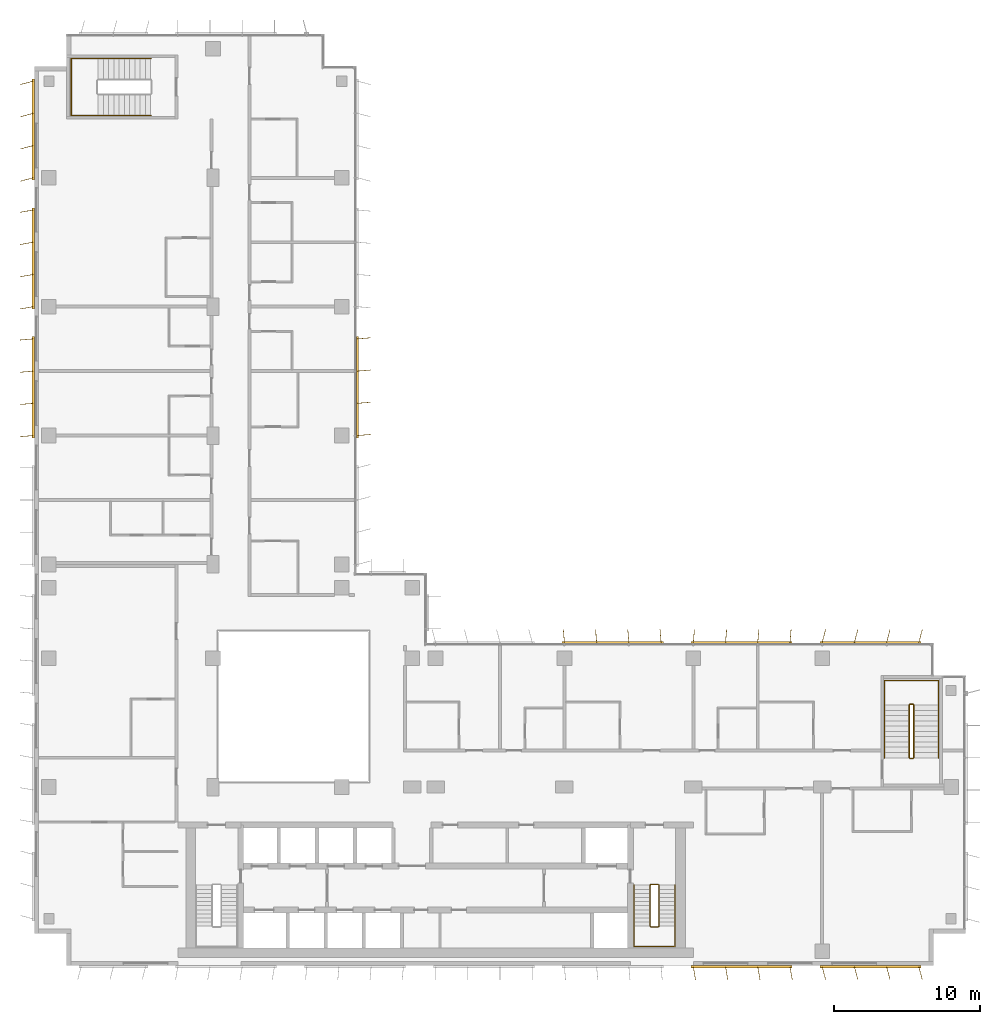
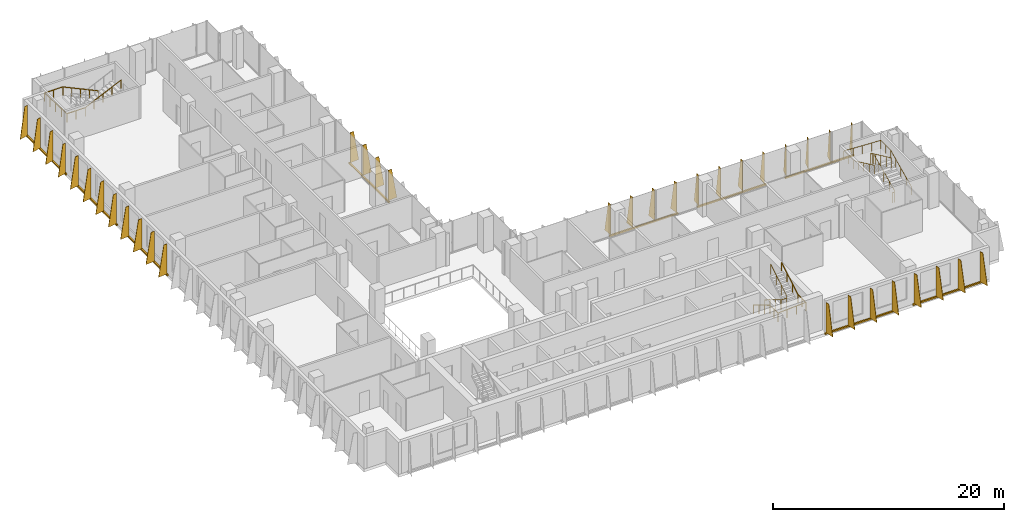
# One storey, part 20 of 21: 9 shading devices, 5 railings.
"""IFC4 building model written with IfcOpenShell, lengths in metres."""

from ifc_helpers import new_model, si_unit, direction, frame, origin, origin_2d, place, context, subcontext, project, spatial, polyline, rectangle, circle, outline, extrude, source, transform, mapped, material, layer, layer_set, type_object, element, save


model = new_model("IFC4")

# Units and contexts
model_context = context("Model", 3, precision=1e-05, world=origin(), true_north=direction((0.0, 1.0)))
body_context = subcontext(model_context, "Body", "Model", "MODEL_VIEW")
ifc_project = project(units=[si_unit("LENGTHUNIT", "METRE"), si_unit("AREAUNIT", "SQUARE_METRE"), si_unit("VOLUMEUNIT", "CUBIC_METRE"), si_unit("PLANEANGLEUNIT", "RADIAN"), si_unit("MASSUNIT", "GRAM", prefix="KILO")], contexts=[model_context])

# Site, building, storey
site_placement = place(None, origin())
site = spatial("IfcSite", under=ifc_project, at=site_placement, CompositionType="ELEMENT")
building_placement = place(site_placement, origin())
building = spatial("IfcBuilding", under=site, at=building_placement, Name="Kemantara Hotel Tower", CompositionType="ELEMENT")
storey_placement = place(building_placement, frame((0.0, 0.0, 160.5)))
storey = spatial("IfcBuildingStorey", under=building, at=storey_placement, Name="L39", CompositionType="ELEMENT", Elevation=160.5)

# Railings
ifc_material_1 = material(Name="Stainless steel balustrade", Category="steel")
railing_type_1 = type_object("IfcRailingType", Name="Stair guard 1100 mm", PredefinedType="GUARDRAIL", material=ifc_material_1)
railing_1_placement = place(storey_placement, frame((42.64990234375, 5.5, 3.699951171875)))
element("IfcRailing", 1, at=railing_1_placement, inside=storey, type_object=railing_type_1, Name="L39 ST2 stair guard 1", PredefinedType="GUARDRAIL", context=body_context, shape_type="SweptSolid", body=[
    extrude(circle(Radius=0.02392578125, at=origin_2d()), frame((0.0, 0.0, 1.076171875), z_axis=(0.0, -0.857242210791, -0.514913383045), x_axis=(1.0, 0.0, 0.0)), (0.0, 0.0, 1.0), 3.266357421875),
    extrude(circle(Radius=0.02392578125, at=origin_2d()), frame((0.0, -2.800048828125, -0.60595703125), z_axis=(-0.273343290215, -0.274683208305, -0.921863645432), x_axis=(0.708833529934, -0.705375805398, 0.0)), (0.0, 0.0, 1.0), 0.18212890625),
    extrude(circle(Radius=0.02392578125, at=origin_2d()), frame((-0.0498046875, -2.85009765625, -0.77392578125), z_axis=(-1.0, 0.0, 0.0), x_axis=(0.0, -1.0, 0.0)), (0.0, 0.0, 1.0), 0.5),
    extrude(circle(Radius=0.02392578125, at=origin_2d()), frame((-0.5498046875, -2.85009765625, -0.77392578125), z_axis=(-0.707106781187, 0.707106781187, 0.0), x_axis=(-0.707106781187, -0.707106781187, 0.0)), (0.0, 0.0, 1.0), 0.07080078125),
    extrude(circle(Radius=0.02392578125, at=origin_2d()), frame((-0.599853515625, -2.800048828125, -0.77392578125), z_axis=(0.0, 0.857242210791, -0.514913383045), x_axis=(-1.0, 0.0, 0.0)), (0.0, 0.0, 1.0), 3.266357421875),
    extrude(circle(Radius=0.02392578125, at=origin_2d()), frame((-0.599853515625, 0.0, -2.45556640625), z_axis=(0.274243871929, 0.274243871929, -0.92172696468), x_axis=(-0.707106781187, 0.707106781187, 0.0)), (0.0, 0.0, 1.0), 0.1826171875),
    extrude(circle(Radius=0.02392578125, at=origin_2d()), frame((-0.5498046875, 0.050048828125, -2.6240234375), z_axis=(1.0, 0.0, 0.0), x_axis=(0.0, 1.0, 0.0)), (0.0, 0.0, 1.0), 0.5),
    extrude(circle(Radius=0.02099609375, at=origin_2d()), origin(), (0.0, 0.0, 1.0), 1.052001953125),
    extrude(circle(Radius=0.02099609375, at=origin_2d()), frame((0.0, -0.933349609375, -0.560546875)), (0.0, 0.0, 1.0), 1.052001953125),
    extrude(circle(Radius=0.02099609375, at=origin_2d()), frame((0.0, -1.86669921875, -1.121337890625)), (0.0, 0.0, 1.0), 1.052001953125),
    extrude(circle(Radius=0.02099609375, at=origin_2d()), frame((0.0, -2.800048828125, -1.681884765625)), (0.0, 0.0, 1.0), 1.052001953125),
    extrude(circle(Radius=0.02099609375, at=origin_2d()), frame((-0.0498046875, -2.85009765625, -1.849853515625)), (0.0, 0.0, 1.0), 1.052001953125),
    extrude(circle(Radius=0.02099609375, at=origin_2d()), frame((-0.5498046875, -2.85009765625, -1.849853515625)), (0.0, 0.0, 1.0), 1.052001953125),
    extrude(circle(Radius=0.02099609375, at=origin_2d()), frame((-0.599853515625, -2.800048828125, -1.849853515625)), (0.0, 0.0, 1.0), 1.052001953125),
    extrude(circle(Radius=0.02099609375, at=origin_2d()), frame((-0.599853515625, -1.86669921875, -2.410400390625)), (0.0, 0.0, 1.0), 1.052001953125),
    extrude(circle(Radius=0.02099609375, at=origin_2d()), frame((-0.599853515625, -0.933349609375, -2.97119140625)), (0.0, 0.0, 1.0), 1.052001953125),
    extrude(circle(Radius=0.02099609375, at=origin_2d()), frame((-0.599853515625, 0.0, -3.53173828125)), (0.0, 0.0, 1.0), 1.052001953125),
    extrude(circle(Radius=0.02099609375, at=origin_2d()), frame((-0.5498046875, 0.050048828125, -3.699951171875)), (0.0, 0.0, 1.0), 1.052001953125),
    extrude(circle(Radius=0.02099609375, at=origin_2d()), frame((-0.0498046875, 0.050048828125, -3.699951171875)), (0.0, 0.0, 1.0), 1.052001953125),
])
railing_2_placement = place(storey_placement, frame((59.75, 14.199951171875, 3.699951171875)))
element("IfcRailing", 2, at=railing_2_placement, inside=storey, type_object=railing_type_1, Name="L39 ST3 stair guard 1", PredefinedType="GUARDRAIL", context=body_context, shape_type="SweptSolid", body=[
    extrude(circle(Radius=0.02392578125, at=origin_2d()), frame((0.0, 0.0, 1.076171875), z_axis=(0.0, 0.906005689286, -0.423265508849), x_axis=(-1.0, 0.0, 0.0)), (0.0, 0.0, 1.0), 3.9736328125),
    extrude(circle(Radius=0.02392578125, at=origin_2d()), frame((0.0, 3.60009765625, -0.60595703125), z_axis=(0.274582412415, 0.274582412415, -0.921525364591), x_axis=(-0.707106781187, 0.707106781187, 0.0)), (0.0, 0.0, 1.0), 0.182373046875),
    extrude(circle(Radius=0.02392578125, at=origin_2d()), frame((0.050048828125, 3.650146484375, -0.77392578125), z_axis=(1.0, 0.0, 0.0), x_axis=(0.0, 1.0, 0.0)), (0.0, 0.0, 1.0), 0.199951171875),
    extrude(circle(Radius=0.02392578125, at=origin_2d()), frame((0.25, 3.650146484375, -0.77392578125), z_axis=(0.707106781187, -0.707106781187, 0.0), x_axis=(0.707106781187, 0.707106781187, 0.0)), (0.0, 0.0, 1.0), 0.07080078125),
    extrude(circle(Radius=0.02392578125, at=origin_2d()), frame((0.300048828125, 3.60009765625, -0.77392578125), z_axis=(0.0, -0.906005689286, -0.423265508849), x_axis=(1.0, 0.0, 0.0)), (0.0, 0.0, 1.0), 3.9736328125),
    extrude(circle(Radius=0.02392578125, at=origin_2d()), frame((0.300048828125, 0.0, -2.45556640625), z_axis=(-0.274243871929, -0.274243871929, -0.92172696468), x_axis=(0.707106781187, -0.707106781187, 0.0)), (0.0, 0.0, 1.0), 0.1826171875),
    extrude(circle(Radius=0.02392578125, at=origin_2d()), frame((0.25, -0.050048828125, -2.6240234375), z_axis=(-1.0, 0.0, 0.0), x_axis=(0.0, -1.0, 0.0)), (0.0, 0.0, 1.0), 0.199951171875),
    extrude(circle(Radius=0.02099609375, at=origin_2d()), origin(), (0.0, 0.0, 1.0), 1.052001953125),
    extrude(circle(Radius=0.02099609375, at=origin_2d()), frame((0.0, 0.89990234375, -0.42041015625)), (0.0, 0.0, 1.0), 1.052001953125),
    extrude(circle(Radius=0.02099609375, at=origin_2d()), frame((0.0, 1.800048828125, -0.8408203125)), (0.0, 0.0, 1.0), 1.052001953125),
    extrude(circle(Radius=0.02099609375, at=origin_2d()), frame((0.0, 2.7001953125, -1.261474609375)), (0.0, 0.0, 1.0), 1.052001953125),
    extrude(circle(Radius=0.02099609375, at=origin_2d()), frame((0.0, 3.60009765625, -1.681884765625)), (0.0, 0.0, 1.0), 1.052001953125),
    extrude(circle(Radius=0.02099609375, at=origin_2d()), frame((0.050048828125, 3.650146484375, -1.849853515625)), (0.0, 0.0, 1.0), 1.052001953125),
    extrude(circle(Radius=0.02099609375, at=origin_2d()), frame((0.25, 3.650146484375, -1.849853515625)), (0.0, 0.0, 1.0), 1.052001953125),
    extrude(circle(Radius=0.02099609375, at=origin_2d()), frame((0.300048828125, 3.60009765625, -1.849853515625)), (0.0, 0.0, 1.0), 1.052001953125),
    extrude(circle(Radius=0.02099609375, at=origin_2d()), frame((0.300048828125, 2.7001953125, -2.270263671875)), (0.0, 0.0, 1.0), 1.052001953125),
    extrude(circle(Radius=0.02099609375, at=origin_2d()), frame((0.300048828125, 1.800048828125, -2.69091796875)), (0.0, 0.0, 1.0), 1.052001953125),
    extrude(circle(Radius=0.02099609375, at=origin_2d()), frame((0.300048828125, 0.89990234375, -3.111328125)), (0.0, 0.0, 1.0), 1.052001953125),
    extrude(circle(Radius=0.02099609375, at=origin_2d()), frame((0.300048828125, 0.0, -3.53173828125)), (0.0, 0.0, 1.0), 1.052001953125),
    extrude(circle(Radius=0.02099609375, at=origin_2d()), frame((0.25, -0.050048828125, -3.699951171875)), (0.0, 0.0, 1.0), 1.052001953125),
    extrude(circle(Radius=0.02099609375, at=origin_2d()), frame((0.050048828125, -0.050048828125, -3.699951171875)), (0.0, 0.0, 1.0), 1.052001953125),
])
railing_type_2 = type_object("IfcRailingType", Name="Stair handrail 900 mm", PredefinedType="HANDRAIL", material=ifc_material_1)
railing_3_placement = place(storey_placement, frame((40.949951171875, 5.5, 0.168212890625)))
element("IfcRailing", 3, at=railing_3_placement, inside=storey, type_object=railing_type_2, Name="L39 ST2 stair handrail 1", PredefinedType="HANDRAIL", context=body_context, shape_type="SweptSolid", body=[
    extrude(circle(Radius=0.02392578125, at=origin_2d()), frame((0.0, 0.0, 0.8759765625), z_axis=(0.0, -0.857242210791, 0.514913383045), x_axis=(1.0, 0.0, 0.0)), (0.0, 0.0, 1.0), 3.266357421875),
    extrude(circle(Radius=0.02392578125, at=origin_2d()), frame((0.0, -2.800048828125, 2.5576171875), z_axis=(0.0, -1.0, 0.0), x_axis=(1.0, 0.0, 0.0)), (0.0, 0.0, 1.0), 1.3798828125),
    extrude(circle(Radius=0.02392578125, at=origin_2d()), frame((0.0, -4.179931640625, 2.5576171875), z_axis=(0.998205573864, 0.0, 0.059880149518), x_axis=(0.0, 1.0, 0.0)), (0.0, 0.0, 1.0), 2.80517578125),
    extrude(circle(Radius=0.02392578125, at=origin_2d()), frame((2.800048828125, -4.179931640625, 2.7255859375), z_axis=(0.0, 1.0, 0.0), x_axis=(-1.0, 0.0, 0.0)), (0.0, 0.0, 1.0), 1.3798828125),
    extrude(circle(Radius=0.02392578125, at=origin_2d()), frame((2.800048828125, -2.800048828125, 2.7255859375), z_axis=(0.0, 0.857242210791, 0.514913383045), x_axis=(-1.0, 0.0, 0.0)), (0.0, 0.0, 1.0), 3.266357421875),
    extrude(circle(Radius=0.02099609375, at=origin_2d()), origin(), (0.0, 0.0, 1.0), 0.851806640625),
    extrude(circle(Radius=0.02099609375, at=origin_2d()), frame((0.0, -0.933349609375, 0.560546875)), (0.0, 0.0, 1.0), 0.851806640625),
    extrude(circle(Radius=0.02099609375, at=origin_2d()), frame((0.0, -1.86669921875, 1.121337890625)), (0.0, 0.0, 1.0), 0.851806640625),
    extrude(circle(Radius=0.02099609375, at=origin_2d()), frame((0.0, -2.800048828125, 1.681884765625)), (0.0, 0.0, 1.0), 0.851806640625),
    extrude(circle(Radius=0.02099609375, at=origin_2d()), frame((0.0, -3.489990234375, 1.681884765625)), (0.0, 0.0, 1.0), 0.851806640625),
    extrude(circle(Radius=0.02099609375, at=origin_2d()), frame((0.0, -4.179931640625, 1.681884765625)), (0.0, 0.0, 1.0), 0.851806640625),
    extrude(circle(Radius=0.02099609375, at=origin_2d()), frame((0.933349609375, -4.179931640625, 1.73779296875)), (0.0, 0.0, 1.0), 0.851806640625),
    extrude(circle(Radius=0.02099609375, at=origin_2d()), frame((1.86669921875, -4.179931640625, 1.7939453125)), (0.0, 0.0, 1.0), 0.851806640625),
    extrude(circle(Radius=0.02099609375, at=origin_2d()), frame((2.800048828125, -4.179931640625, 1.849853515625)), (0.0, 0.0, 1.0), 0.851806640625),
    extrude(circle(Radius=0.02099609375, at=origin_2d()), frame((2.800048828125, -3.489990234375, 1.849853515625)), (0.0, 0.0, 1.0), 0.851806640625),
    extrude(circle(Radius=0.02099609375, at=origin_2d()), frame((2.800048828125, -2.800048828125, 1.849853515625)), (0.0, 0.0, 1.0), 0.851806640625),
    extrude(circle(Radius=0.02099609375, at=origin_2d()), frame((2.800048828125, -1.86669921875, 2.410400390625)), (0.0, 0.0, 1.0), 0.851806640625),
    extrude(circle(Radius=0.02099609375, at=origin_2d()), frame((2.800048828125, -0.933349609375, 2.97119140625)), (0.0, 0.0, 1.0), 0.851806640625),
    extrude(circle(Radius=0.02099609375, at=origin_2d()), frame((2.800048828125, 0.0, 3.53173828125)), (0.0, 0.0, 1.0), 0.851806640625),
])
railing_4_placement = place(storey_placement, frame((61.75, 14.199951171875, 0.168212890625)))
element("IfcRailing", 4, at=railing_4_placement, inside=storey, type_object=railing_type_2, Name="L39 ST3 stair handrail 1", PredefinedType="HANDRAIL", context=body_context, shape_type="SweptSolid", body=[
    extrude(circle(Radius=0.02392578125, at=origin_2d()), frame((0.0, 0.0, 0.8759765625), z_axis=(0.0, 0.906005689286, 0.423265508849), x_axis=(-1.0, 0.0, 0.0)), (0.0, 0.0, 1.0), 3.9736328125),
    extrude(circle(Radius=0.02392578125, at=origin_2d()), frame((0.0, 3.60009765625, 2.5576171875), z_axis=(0.0, 1.0, 0.0), x_axis=(-1.0, 0.0, 0.0)), (0.0, 0.0, 1.0), 1.679931640625),
    extrude(circle(Radius=0.02392578125, at=origin_2d()), frame((0.0, 5.280029296875, 2.5576171875), z_axis=(-0.998971120908, 0.0, 0.045350849963), x_axis=(0.0, -1.0, 0.0)), (0.0, 0.0, 1.0), 3.703857421875),
    extrude(circle(Radius=0.02392578125, at=origin_2d()), frame((-3.699951171875, 5.280029296875, 2.7255859375), z_axis=(0.0, -1.0, 0.0), x_axis=(1.0, 0.0, 0.0)), (0.0, 0.0, 1.0), 1.679931640625),
    extrude(circle(Radius=0.02392578125, at=origin_2d()), frame((-3.699951171875, 3.60009765625, 2.7255859375), z_axis=(0.0, -0.906005689286, 0.423265508849), x_axis=(1.0, 0.0, 0.0)), (0.0, 0.0, 1.0), 3.9736328125),
    extrude(circle(Radius=0.02099609375, at=origin_2d()), origin(), (0.0, 0.0, 1.0), 0.851806640625),
    extrude(circle(Radius=0.02099609375, at=origin_2d()), frame((0.0, 0.89990234375, 0.42041015625)), (0.0, 0.0, 1.0), 0.851806640625),
    extrude(circle(Radius=0.02099609375, at=origin_2d()), frame((0.0, 1.800048828125, 0.8408203125)), (0.0, 0.0, 1.0), 0.851806640625),
    extrude(circle(Radius=0.02099609375, at=origin_2d()), frame((0.0, 2.7001953125, 1.261474609375)), (0.0, 0.0, 1.0), 0.851806640625),
    extrude(circle(Radius=0.02099609375, at=origin_2d()), frame((0.0, 3.60009765625, 1.681884765625)), (0.0, 0.0, 1.0), 0.851806640625),
    extrude(circle(Radius=0.02099609375, at=origin_2d()), frame((0.0, 4.43994140625, 1.681884765625)), (0.0, 0.0, 1.0), 0.851806640625),
    extrude(circle(Radius=0.02099609375, at=origin_2d()), frame((0.0, 5.280029296875, 1.681884765625)), (0.0, 0.0, 1.0), 0.851806640625),
    extrude(circle(Radius=0.02099609375, at=origin_2d()), frame((-0.925048828125, 5.280029296875, 1.723876953125)), (0.0, 0.0, 1.0), 0.851806640625),
    extrude(circle(Radius=0.02099609375, at=origin_2d()), frame((-1.85009765625, 5.280029296875, 1.765869140625)), (0.0, 0.0, 1.0), 0.851806640625),
    extrude(circle(Radius=0.02099609375, at=origin_2d()), frame((-2.77490234375, 5.280029296875, 1.807861328125)), (0.0, 0.0, 1.0), 0.851806640625),
    extrude(circle(Radius=0.02099609375, at=origin_2d()), frame((-3.699951171875, 5.280029296875, 1.849853515625)), (0.0, 0.0, 1.0), 0.851806640625),
    extrude(circle(Radius=0.02099609375, at=origin_2d()), frame((-3.699951171875, 4.43994140625, 1.849853515625)), (0.0, 0.0, 1.0), 0.851806640625),
    extrude(circle(Radius=0.02099609375, at=origin_2d()), frame((-3.699951171875, 3.60009765625, 1.849853515625)), (0.0, 0.0, 1.0), 0.851806640625),
    extrude(circle(Radius=0.02099609375, at=origin_2d()), frame((-3.699951171875, 2.7001953125, 2.270263671875)), (0.0, 0.0, 1.0), 0.851806640625),
    extrude(circle(Radius=0.02099609375, at=origin_2d()), frame((-3.699951171875, 1.800048828125, 2.69091796875)), (0.0, 0.0, 1.0), 0.851806640625),
    extrude(circle(Radius=0.02099609375, at=origin_2d()), frame((-3.699951171875, 0.89990234375, 3.111328125)), (0.0, 0.0, 1.0), 0.851806640625),
    extrude(circle(Radius=0.02099609375, at=origin_2d()), frame((-3.699951171875, 0.0, 3.53173828125)), (0.0, 0.0, 1.0), 0.851806640625),
])
railing_5_placement = place(storey_placement, frame((7.949951171875, 61.949951171875, 0.168212890625)))
element("IfcRailing", 5, at=railing_5_placement, inside=storey, type_object=railing_type_2, Name="L39 ST4 stair handrail 1", PredefinedType="HANDRAIL", context=body_context, shape_type="SweptSolid", body=[
    extrude(circle(Radius=0.02392578125, at=origin_2d()), frame((0.0, 0.0, 0.8759765625), z_axis=(-0.905994681025, 0.0, 0.423289071386), x_axis=(0.0, -1.0, 0.0)), (0.0, 0.0, 1.0), 3.973388671875),
    extrude(circle(Radius=0.02392578125, at=origin_2d()), frame((-3.599853515625, 0.0, 2.5576171875), z_axis=(-1.0, 0.0, 0.0), x_axis=(0.0, -1.0, 0.0)), (0.0, 0.0, 1.0), 1.830078125),
    extrude(circle(Radius=0.02392578125, at=origin_2d()), frame((-5.429931640625, 0.0, 2.5576171875), z_axis=(0.0, -0.999073776461, 0.043030096294), x_axis=(1.0, 0.0, 0.0)), (0.0, 0.0, 1.0), 3.903564453125),
    extrude(circle(Radius=0.02392578125, at=origin_2d()), frame((-5.429931640625, -3.89990234375, 2.7255859375), z_axis=(1.0, 0.0, 0.0), x_axis=(0.0, 1.0, 0.0)), (0.0, 0.0, 1.0), 1.830078125),
    extrude(circle(Radius=0.02392578125, at=origin_2d()), frame((-3.599853515625, -3.89990234375, 2.7255859375), z_axis=(0.905994681025, 0.0, 0.423289071386), x_axis=(0.0, 1.0, 0.0)), (0.0, 0.0, 1.0), 3.973388671875),
    extrude(circle(Radius=0.02099609375, at=origin_2d()), origin(), (0.0, 0.0, 1.0), 0.851806640625),
    extrude(circle(Radius=0.02099609375, at=origin_2d()), frame((-0.89990234375, 0.0, 0.42041015625)), (0.0, 0.0, 1.0), 0.851806640625),
    extrude(circle(Radius=0.02099609375, at=origin_2d()), frame((-1.7998046875, 0.0, 0.8408203125)), (0.0, 0.0, 1.0), 0.851806640625),
    extrude(circle(Radius=0.02099609375, at=origin_2d()), frame((-2.699951171875, 0.0, 1.261474609375)), (0.0, 0.0, 1.0), 0.851806640625),
    extrude(circle(Radius=0.02099609375, at=origin_2d()), frame((-3.599853515625, 0.0, 1.681884765625)), (0.0, 0.0, 1.0), 0.851806640625),
    extrude(circle(Radius=0.02099609375, at=origin_2d()), frame((-4.514892578125, 0.0, 1.681884765625)), (0.0, 0.0, 1.0), 0.851806640625),
    extrude(circle(Radius=0.02099609375, at=origin_2d()), frame((-5.429931640625, 0.0, 1.681884765625)), (0.0, 0.0, 1.0), 0.851806640625),
    extrude(circle(Radius=0.02099609375, at=origin_2d()), frame((-5.429931640625, -0.97509765625, 1.723876953125)), (0.0, 0.0, 1.0), 0.851806640625),
    extrude(circle(Radius=0.02099609375, at=origin_2d()), frame((-5.429931640625, -1.949951171875, 1.765869140625)), (0.0, 0.0, 1.0), 0.851806640625),
    extrude(circle(Radius=0.02099609375, at=origin_2d()), frame((-5.429931640625, -2.9248046875, 1.807861328125)), (0.0, 0.0, 1.0), 0.851806640625),
    extrude(circle(Radius=0.02099609375, at=origin_2d()), frame((-5.429931640625, -3.89990234375, 1.849853515625)), (0.0, 0.0, 1.0), 0.851806640625),
    extrude(circle(Radius=0.02099609375, at=origin_2d()), frame((-4.514892578125, -3.89990234375, 1.849853515625)), (0.0, 0.0, 1.0), 0.851806640625),
    extrude(circle(Radius=0.02099609375, at=origin_2d()), frame((-3.599853515625, -3.89990234375, 1.849853515625)), (0.0, 0.0, 1.0), 0.851806640625),
    extrude(circle(Radius=0.02099609375, at=origin_2d()), frame((-2.699951171875, -3.89990234375, 2.270263671875)), (0.0, 0.0, 1.0), 0.851806640625),
    extrude(circle(Radius=0.02099609375, at=origin_2d()), frame((-1.7998046875, -3.89990234375, 2.69091796875)), (0.0, 0.0, 1.0), 0.851806640625),
    extrude(circle(Radius=0.02099609375, at=origin_2d()), frame((-0.89990234375, -3.89990234375, 3.111328125)), (0.0, 0.0, 1.0), 0.851806640625),
    extrude(circle(Radius=0.02099609375, at=origin_2d()), frame((0.0, -3.89990234375, 3.53173828125)), (0.0, 0.0, 1.0), 0.851806640625),
])

# Shading devices
ifc_material_2 = material(Name="Perforated aluminium plate 4 mm bronze anodised", Category="aluminium")
ifc_layer_1 = layer(ifc_material_2, 0.0400390625)
ifc_layer_set_1 = layer_set([ifc_layer_1], Name="Perforated aluminium plate 4 mm bronze anodised")
shading_device_type_1 = type_object("IfcShadingDeviceType", Name="SCREEN FIN CASSETTE, 4 BLADES AT -5.0 DEG, 3200 HIGH", PredefinedType="USERDEFINED", material=ifc_layer_set_1)
shared_shape_1 = source(origin(), body_context, "Body", "SweptSolid", [
    extrude(rectangle(XDim=6.89990234375, YDim=0.14990234375, at=origin_2d()), frame((3.300048828125, -0.074951171875, -0.14990234375), z_axis=(0.0, 0.0, 1.0), x_axis=(1.0, 0.0, 0.0)), (0.0, 0.0, 1.0), 0.14990234375),
    extrude(outline(polyline([(0.0, 0.0), (0.89990234375, 0.0), (0.35009765625, 3.199951171875), (0.0, 3.199951171875), (0.0, 0.0)])), frame((0.02001953125, -0.07666015625, 0.0), z_axis=(-0.996376129781, 0.085056498884, 0.0), x_axis=(-0.085056498884, -0.996376129781, 0.0)), (0.0, 0.0, 1.0), 0.040283203125),
    extrude(outline(polyline([(0.0, 0.0), (0.89990234375, 0.0), (0.35009765625, 3.199951171875), (0.0, 3.199951171875), (0.0, 0.0)])), frame((2.219970703125, -0.07666015625, 0.0), z_axis=(-0.996331773833, 0.085574508182, 0.0), x_axis=(-0.085574508182, -0.996331773833, 0.0)), (0.0, 0.0, 1.0), 0.0400390625),
    extrude(outline(polyline([(0.0, 0.0), (0.89990234375, 0.0), (0.35009765625, 3.199951171875), (0.0, 3.199951171875), (0.0, 0.0)])), frame((4.419921875, -0.07666015625, 0.0), z_axis=(-0.996331773833, 0.085574508182, 0.0), x_axis=(-0.085574508182, -0.996331773833, 0.0)), (0.0, 0.0, 1.0), 0.0400390625),
    extrude(outline(polyline([(0.0, 0.0), (0.89990234375, 0.0), (0.35009765625, 3.199951171875), (0.0, 3.199951171875), (0.0, 0.0)])), frame((6.619873046875, -0.07666015625, 0.0), z_axis=(-0.996331773833, 0.085574508182, 0.0), x_axis=(-0.085574508182, -0.996331773833, 0.0)), (0.0, 0.0, 1.0), 0.0400390625),
])
shading_device_1_placement = place(storey_placement, frame((51.60009765625, 22.0, 0.10009765625), z_axis=(0.0, 0.0, 1.0), x_axis=(-1.0, 0.0, 0.0)))
element("IfcShadingDevice", 6, at=shading_device_1_placement, inside=storey, type_object=shading_device_type_1, Name="SCREEN FIN CASSETTE L39 T3-R14-2", ObjectType="SCREEN FIN", PredefinedType="USERDEFINED", context=body_context, shape_type="MappedRepresentation", body=[
    mapped(shared_shape_1, transform((0.0, 0.0, 0.0))),
])
ifc_layer_2 = layer(ifc_material_2, 0.0400390625)
ifc_layer_set_2 = layer_set([ifc_layer_2], Name="Perforated aluminium plate 4 mm bronze anodised")
shading_device_type_2 = type_object("IfcShadingDeviceType", Name="SCREEN FIN CASSETTE, 4 BLADES AT +5.0 DEG, 3200 HIGH", PredefinedType="USERDEFINED", material=ifc_layer_set_2)
shared_shape_2 = source(origin(), body_context, "Body", "SweptSolid", [
    extrude(rectangle(XDim=6.89990234375, YDim=0.14990234375, at=origin_2d()), frame((3.300048828125, -0.074951171875, -0.14990234375), z_axis=(0.0, 0.0, 1.0), x_axis=(1.0, 0.0, 0.0)), (0.0, 0.0, 1.0), 0.14990234375),
    extrude(outline(polyline([(0.0, 0.0), (0.89990234375, 0.0), (0.35009765625, 3.199951171875), (0.0, 3.199951171875), (0.0, 0.0)])), frame((0.02001953125, -0.0732421875, 0.0), z_axis=(-0.996376129781, -0.085056498884, 0.0), x_axis=(0.085056498884, -0.996376129781, 0.0)), (0.0, 0.0, 1.0), 0.040283203125),
    extrude(outline(polyline([(0.0, 0.0), (0.89990234375, 0.0), (0.35009765625, 3.199951171875), (0.0, 3.199951171875), (0.0, 0.0)])), frame((2.219970703125, -0.0732421875, 0.0), z_axis=(-0.996331773833, -0.085574508182, 0.0), x_axis=(0.085574508182, -0.996331773833, 0.0)), (0.0, 0.0, 1.0), 0.0400390625),
    extrude(outline(polyline([(0.0, 0.0), (0.89990234375, 0.0), (0.35009765625, 3.199951171875), (0.0, 3.199951171875), (0.0, 0.0)])), frame((4.419921875, -0.0732421875, 0.0), z_axis=(-0.996331773833, -0.085574508182, 0.0), x_axis=(0.085574508182, -0.996331773833, 0.0)), (0.0, 0.0, 1.0), 0.0400390625),
    extrude(outline(polyline([(0.0, 0.0), (0.89990234375, 0.0), (0.35009765625, 3.199951171875), (0.0, 3.199951171875), (0.0, 0.0)])), frame((6.619873046875, -0.0732421875, 0.0), z_axis=(-0.996331773833, -0.085574508182, 0.0), x_axis=(0.085574508182, -0.996331773833, 0.0)), (0.0, 0.0, 1.0), 0.0400390625),
])
for number, where, z_axis, x_axis, name in (
    (7, (0.0, 42.800048828125, 0.10009765625), (0.0, 0.0, 1.0), (0.0, -1.0, 0.0), "SCREEN FIN CASSETTE L39 T3-R05-3"),
    (8, (42.800048828125, 22.0, 0.10009765625), (0.0, 0.0, 1.0), (-1.0, 0.0, 0.0), "SCREEN FIN CASSETTE L39 T3-R14-3"),
    (9, (22.0, 36.199951171875, 0.10009765625), (0.0, 0.0, 1.0), (0.0, 1.0, 0.0), "SCREEN FIN CASSETTE L39 T3-R17-2"),
):
    element("IfcShadingDevice", number, at=place(storey_placement, frame(where, z_axis=z_axis, x_axis=x_axis)), inside=storey, type_object=shading_device_type_2, Name=name, ObjectType="SCREEN FIN", PredefinedType="USERDEFINED", context=body_context, shape_type="MappedRepresentation", body=[
        mapped(shared_shape_2, transform((0.0, 0.0, 0.0))),
    ])
ifc_layer_3 = layer(ifc_material_2, 0.0400390625)
ifc_layer_set_3 = layer_set([ifc_layer_3], Name="Perforated aluminium plate 4 mm bronze anodised")
shading_device_type_3 = type_object("IfcShadingDeviceType", Name="SCREEN FIN CASSETTE, 4 BLADES AT +10.0 DEG, 3200 HIGH", PredefinedType="USERDEFINED", material=ifc_layer_set_3)
shared_shape_3 = source(origin(), body_context, "Body", "SweptSolid", [
    extrude(rectangle(XDim=6.89990234375, YDim=0.14990234375, at=origin_2d()), frame((3.300048828125, -0.074951171875, -0.14990234375), z_axis=(0.0, 0.0, 1.0), x_axis=(1.0, 0.0, 0.0)), (0.0, 0.0, 1.0), 0.14990234375),
    extrude(outline(polyline([(0.0, 0.0), (0.89990234375, 0.0), (0.35009765625, 3.199951171875), (0.0, 3.199951171875), (0.0, 0.0)])), frame((0.019775390625, -0.071533203125, 0.0), z_axis=(-0.985389793052, -0.170314285219, 0.0), x_axis=(0.170314285219, -0.985389793052, 0.0)), (0.0, 0.0, 1.0), 0.0400390625),
    extrude(outline(polyline([(0.0, 0.0), (0.89990234375, 0.0), (0.35009765625, 3.199951171875), (0.0, 3.199951171875), (0.0, 0.0)])), frame((2.2197265625, -0.071533203125, 0.0), z_axis=(-0.98521175482, -0.171341174751, 0.0), x_axis=(0.171341174751, -0.98521175482, 0.0)), (0.0, 0.0, 1.0), 0.039794921875),
    extrude(outline(polyline([(0.0, 0.0), (0.89990234375, 0.0), (0.35009765625, 3.199951171875), (0.0, 3.199951171875), (0.0, 0.0)])), frame((4.419677734375, -0.071533203125, 0.0), z_axis=(-0.98521175482, -0.171341174751, 0.0), x_axis=(0.171341174751, -0.98521175482, 0.0)), (0.0, 0.0, 1.0), 0.039794921875),
    extrude(outline(polyline([(0.0, 0.0), (0.89990234375, 0.0), (0.35009765625, 3.199951171875), (0.0, 3.199951171875), (0.0, 0.0)])), frame((6.61962890625, -0.071533203125, 0.0), z_axis=(-0.98521175482, -0.171341174751, 0.0), x_axis=(0.171341174751, -0.98521175482, 0.0)), (0.0, 0.0, 1.0), 0.039794921875),
])
for number, where, z_axis, x_axis, name in (
    (10, (0.0, 51.60009765625, 0.10009765625), (0.0, 0.0, 1.0), (0.0, -1.0, 0.0), "SCREEN FIN CASSETTE L39 T3-R05-2"),
    (11, (45.0, 0.0, 0.10009765625), (0.0, 0.0, 1.0), (1.0, 0.0, 0.0), "SCREEN FIN CASSETTE L39 T3-R08-6"),
):
    element("IfcShadingDevice", number, at=place(storey_placement, frame(where, z_axis=z_axis, x_axis=x_axis)), inside=storey, type_object=shading_device_type_3, Name=name, ObjectType="SCREEN FIN", PredefinedType="USERDEFINED", context=body_context, shape_type="MappedRepresentation", body=[
        mapped(shared_shape_3, transform((0.0, 0.0, 0.0))),
    ])
ifc_layer_4 = layer(ifc_material_2, 0.0400390625)
ifc_layer_set_4 = layer_set([ifc_layer_4], Name="Perforated aluminium plate 4 mm bronze anodised")
shading_device_type_4 = type_object("IfcShadingDeviceType", Name="SCREEN FIN CASSETTE, 4 BLADES AT +15.0 DEG, 3200 HIGH", PredefinedType="USERDEFINED", material=ifc_layer_set_4)
shared_shape_4 = source(origin(), body_context, "Body", "SweptSolid", [
    extrude(rectangle(XDim=6.89990234375, YDim=0.14990234375, at=origin_2d()), frame((3.300048828125, -0.074951171875, -0.14990234375), z_axis=(0.0, 0.0, 1.0), x_axis=(1.0, 0.0, 0.0)), (0.0, 0.0, 1.0), 0.14990234375),
    extrude(outline(polyline([(0.0, 0.0), (0.89990234375, 0.0), (0.35009765625, 3.199951171875), (0.0, 3.199951171875), (0.0, 0.0)])), frame((0.019287109375, -0.06982421875, 0.0), z_axis=(-0.966437683387, -0.256901156343, 0.0), x_axis=(0.256901156343, -0.966437683387, 0.0)), (0.0, 0.0, 1.0), 0.039794921875),
    extrude(outline(polyline([(0.0, 0.0), (0.89990234375, 0.0), (0.35009765625, 3.199951171875), (0.0, 3.199951171875), (0.0, 0.0)])), frame((2.21923828125, -0.06982421875, 0.0), z_axis=(-0.966437683387, -0.256901156343, 0.0), x_axis=(0.256901156343, -0.966437683387, 0.0)), (0.0, 0.0, 1.0), 0.039794921875),
    extrude(outline(polyline([(0.0, 0.0), (0.89990234375, 0.0), (0.35009765625, 3.199951171875), (0.0, 3.199951171875), (0.0, 0.0)])), frame((4.41943359375, -0.06982421875, 0.0), z_axis=(-0.966837822169, -0.255391122837, 0.0), x_axis=(0.255391122837, -0.966837822169, 0.0)), (0.0, 0.0, 1.0), 0.0400390625),
    extrude(outline(polyline([(0.0, 0.0), (0.89990234375, 0.0), (0.35009765625, 3.199951171875), (0.0, 3.199951171875), (0.0, 0.0)])), frame((6.619384765625, -0.06982421875, 0.0), z_axis=(-0.966837822169, -0.255391122837, 0.0), x_axis=(0.255391122837, -0.966837822169, 0.0)), (0.0, 0.0, 1.0), 0.0400390625),
])
for number, where, z_axis, x_axis, name in (
    (12, (0.0, 60.39990234375, 0.10009765625), (0.0, 0.0, 1.0), (0.0, -1.0, 0.0), "SCREEN FIN CASSETTE L39 T3-R05-1"),
    (13, (53.800048828125, 0.0, 0.10009765625), (0.0, 0.0, 1.0), (1.0, 0.0, 0.0), "SCREEN FIN CASSETTE L39 T3-R08-7"),
):
    element("IfcShadingDevice", number, at=place(storey_placement, frame(where, z_axis=z_axis, x_axis=x_axis)), inside=storey, type_object=shading_device_type_4, Name=name, ObjectType="SCREEN FIN", PredefinedType="USERDEFINED", context=body_context, shape_type="MappedRepresentation", body=[
        mapped(shared_shape_4, transform((0.0, 0.0, 0.0))),
    ])
ifc_layer_5 = layer(ifc_material_2, 0.0400390625)
ifc_layer_set_5 = layer_set([ifc_layer_5], Name="Perforated aluminium plate 4 mm bronze anodised")
shading_device_type_5 = type_object("IfcShadingDeviceType", Name="SCREEN FIN CASSETTE, 4 BLADES AT -15.0 DEG, 3200 HIGH", PredefinedType="USERDEFINED", material=ifc_layer_set_5)
shared_shape_5 = source(origin(), body_context, "Body", "SweptSolid", [
    extrude(rectangle(XDim=6.89990234375, YDim=0.14990234375, at=origin_2d()), frame((3.300048828125, -0.074951171875, -0.14990234375), z_axis=(0.0, 0.0, 1.0), x_axis=(1.0, 0.0, 0.0)), (0.0, 0.0, 1.0), 0.14990234375),
    extrude(outline(polyline([(0.0, 0.0), (0.89990234375, 0.0), (0.35009765625, 3.199951171875), (0.0, 3.199951171875), (0.0, 0.0)])), frame((0.019287109375, -0.080078125, 0.0), z_axis=(-0.966437683387, 0.256901156343, 0.0), x_axis=(-0.256901156343, -0.966437683387, 0.0)), (0.0, 0.0, 1.0), 0.039794921875),
    extrude(outline(polyline([(0.0, 0.0), (0.89990234375, 0.0), (0.35009765625, 3.199951171875), (0.0, 3.199951171875), (0.0, 0.0)])), frame((2.21923828125, -0.080078125, 0.0), z_axis=(-0.966437683387, 0.256901156343, 0.0), x_axis=(-0.256901156343, -0.966437683387, 0.0)), (0.0, 0.0, 1.0), 0.039794921875),
    extrude(outline(polyline([(0.0, 0.0), (0.89990234375, 0.0), (0.35009765625, 3.199951171875), (0.0, 3.199951171875), (0.0, 0.0)])), frame((4.41943359375, -0.080078125, 0.0), z_axis=(-0.966837822169, 0.255391122837, 0.0), x_axis=(-0.255391122837, -0.966837822169, 0.0)), (0.0, 0.0, 1.0), 0.0400390625),
    extrude(outline(polyline([(0.0, 0.0), (0.89990234375, 0.0), (0.35009765625, 3.199951171875), (0.0, 3.199951171875), (0.0, 0.0)])), frame((6.619384765625, -0.080078125, 0.0), z_axis=(-0.966837822169, 0.255391122837, 0.0), x_axis=(-0.255391122837, -0.966837822169, 0.0)), (0.0, 0.0, 1.0), 0.0400390625),
])
shading_device_2_placement = place(storey_placement, frame((60.39990234375, 22.0, 0.10009765625), z_axis=(0.0, 0.0, 1.0), x_axis=(-1.0, 0.0, 0.0)))
element("IfcShadingDevice", 14, at=shading_device_2_placement, inside=storey, type_object=shading_device_type_5, Name="SCREEN FIN CASSETTE L39 T3-R14-1", ObjectType="SCREEN FIN", PredefinedType="USERDEFINED", context=body_context, shape_type="MappedRepresentation", body=[
    mapped(shared_shape_5, transform((0.0, 0.0, 0.0))),
])

save(model, "model.ifc")
